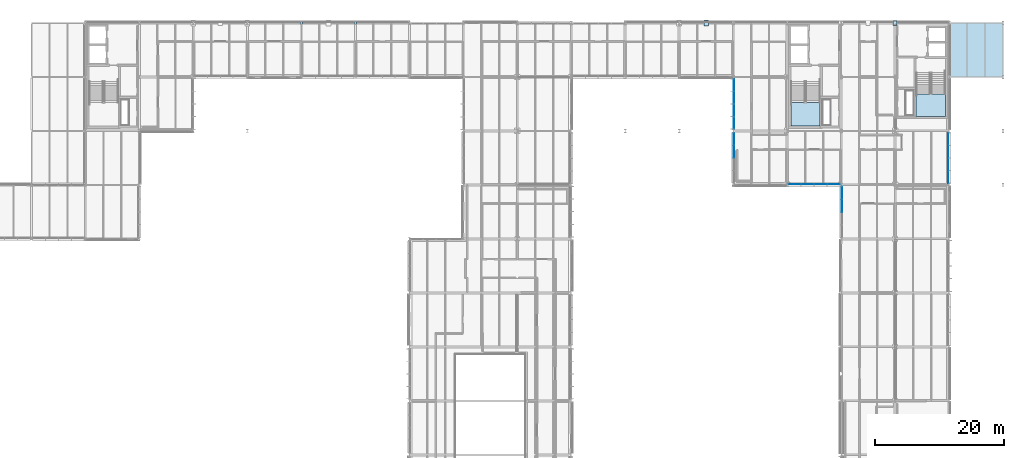
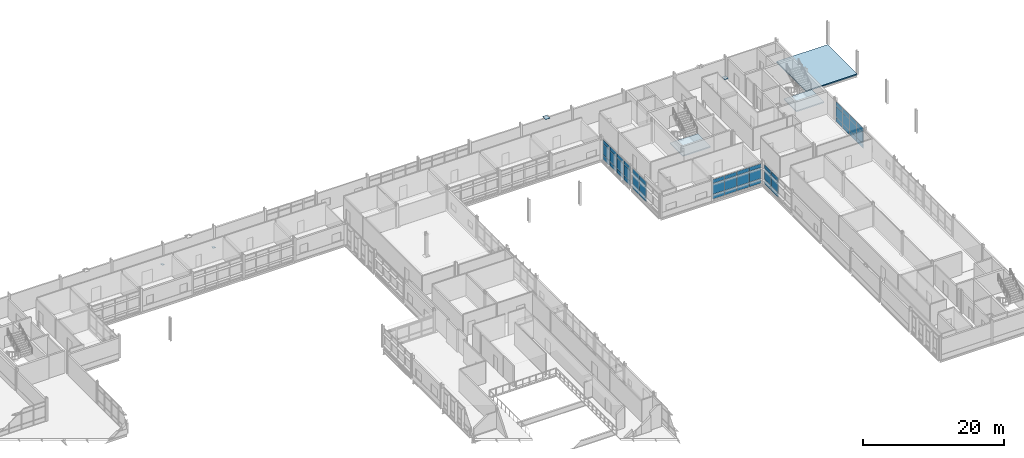
# One storey, part 103 of 131: 52 plates, 3 slabs, 7 elements without a shape of their own.
"""IFC4 building model written with IfcOpenShell, lengths in metres."""

from ifc_helpers import new_model, si_unit, direction, frame, origin, origin_2d, place, context, subcontext, project, spatial, polyline, rectangle, outline, extrude, material, layer, layer_set, type_object, element, aggregate, save


model = new_model("IFC4")

# Units and contexts
model_context = context("Model", 3, precision=1e-05, world=origin(), true_north=direction((0.0, 1.0)))
body_context = subcontext(model_context, "Body", "Model", "MODEL_VIEW")
ifc_project = project(units=[si_unit("LENGTHUNIT", "METRE"), si_unit("AREAUNIT", "SQUARE_METRE"), si_unit("VOLUMEUNIT", "CUBIC_METRE"), si_unit("PLANEANGLEUNIT", "RADIAN"), si_unit("MASSUNIT", "GRAM", prefix="KILO")], contexts=[model_context])

# Site, building, storey
site_placement = place(None, origin())
site = spatial("IfcSite", under=ifc_project, at=site_placement, CompositionType="ELEMENT")
building_placement = place(site_placement, origin())
building = spatial("IfcBuilding", under=site, at=building_placement, Name="Mersafa Astral City Hall", CompositionType="ELEMENT")
storey_placement = place(building_placement, frame((0.0, 0.0, 13.949951171875)))
storey = spatial("IfcBuildingStorey", under=building, at=storey_placement, Name="L03", CompositionType="ELEMENT", Elevation=13.949951171875)

# Curtain wall, plates
ifc_material_1 = material(Name="Anodised bronze aluminium framing", Category="aluminium")
curtain_wall_type_1 = type_object("IfcCurtainWallType", Name="ENV-CW-5", PredefinedType="USERDEFINED", material=ifc_material_1)
curtain_wall_1_placement = place(storey_placement, origin())
curtain_wall_1 = element("IfcCurtainWall", 1, at=curtain_wall_1_placement, inside=storey, type_object=curtain_wall_type_1, Name="L03 Unitised solar curtain wall 160", ObjectType="UNITISED CURTAIN WALL", PredefinedType="USERDEFINED")
ifc_material_2 = material(Name="Solar control low-e double glazing", Category="glass")
ifc_layer_1 = layer(ifc_material_2, 0.028076171875, Name="Solar control low-e double glazing")
ifc_layer_set_1 = layer_set([ifc_layer_1], Name="Solar control low-e double glazing — ENV-CW-PNL-GLZ-1")
plate_type_1 = type_object("IfcPlateType", Name="ENV-CW-PNL-GLZ-1", PredefinedType="CURTAIN_PANEL", material=ifc_layer_set_1)
plate_1_placement = place(storey_placement, frame((142.919921875, 116.33837890625, 0.05810546875), z_axis=(0.0, 0.0, 1.0), x_axis=(0.0, -1.0, 0.0)))
plate_1 = element("IfcPlate", 2, at=plate_1_placement, type_object=plate_type_1, Name="CW-5 panel 1.1", PredefinedType="CURTAIN_PANEL", context=body_context, shape_type="SweptSolid", body=[
    extrude(rectangle(XDim=1.87890625, YDim=0.028076171875, at=origin_2d()), origin(), (0.0, 0.0, 1.0), 0.761962890625),
])
plate_2_placement = place(storey_placement, frame((142.919921875, 116.33837890625, 0.8798828125), z_axis=(0.0, 0.0, 1.0), x_axis=(0.0, -1.0, 0.0)))
plate_2 = element("IfcPlate", 3, at=plate_2_placement, type_object=plate_type_1, Name="CW-5 panel 1.2", PredefinedType="CURTAIN_PANEL", context=body_context, shape_type="SweptSolid", body=[
    extrude(rectangle(XDim=1.87890625, YDim=0.028076171875, at=origin_2d()), origin(), (0.0, 0.0, 1.0), 1.840087890625),
])
plate_3_placement = place(storey_placement, frame((142.919921875, 116.33837890625, 2.780029296875), z_axis=(0.0, 0.0, 1.0), x_axis=(0.0, -1.0, 0.0)))
plate_3 = element("IfcPlate", 4, at=plate_3_placement, type_object=plate_type_1, Name="CW-5 panel 1.3", PredefinedType="CURTAIN_PANEL", context=body_context, shape_type="SweptSolid", body=[
    extrude(rectangle(XDim=1.87890625, YDim=0.028076171875, at=origin_2d()), origin(), (0.0, 0.0, 1.0), 0.662109375),
])
plate_4_placement = place(storey_placement, frame((142.919921875, 114.384521484375, 0.05810546875), z_axis=(0.0, 0.0, 1.0), x_axis=(0.0, -1.0, 0.0)))
plate_4 = element("IfcPlate", 5, at=plate_4_placement, type_object=plate_type_1, Name="CW-5 panel 2.1", PredefinedType="CURTAIN_PANEL", context=body_context, shape_type="SweptSolid", body=[
    extrude(rectangle(XDim=1.908935546875, YDim=0.028076171875, at=origin_2d()), origin(), (0.0, 0.0, 1.0), 0.761962890625),
])
plate_5_placement = place(storey_placement, frame((142.919921875, 114.384521484375, 0.8798828125), z_axis=(0.0, 0.0, 1.0), x_axis=(0.0, -1.0, 0.0)))
plate_5 = element("IfcPlate", 6, at=plate_5_placement, type_object=plate_type_1, Name="CW-5 panel 2.2", PredefinedType="CURTAIN_PANEL", context=body_context, shape_type="SweptSolid", body=[
    extrude(rectangle(XDim=1.908935546875, YDim=0.028076171875, at=origin_2d()), origin(), (0.0, 0.0, 1.0), 1.840087890625),
])
plate_6_placement = place(storey_placement, frame((142.919921875, 114.384521484375, 2.780029296875), z_axis=(0.0, 0.0, 1.0), x_axis=(0.0, -1.0, 0.0)))
plate_6 = element("IfcPlate", 7, at=plate_6_placement, type_object=plate_type_1, Name="CW-5 panel 2.3", PredefinedType="CURTAIN_PANEL", context=body_context, shape_type="SweptSolid", body=[
    extrude(rectangle(XDim=1.908935546875, YDim=0.028076171875, at=origin_2d()), origin(), (0.0, 0.0, 1.0), 0.662109375),
])
plate_7_placement = place(storey_placement, frame((142.919921875, 112.41552734375, 0.05810546875), z_axis=(0.0, 0.0, 1.0), x_axis=(0.0, -1.0, 0.0)))
plate_7 = element("IfcPlate", 8, at=plate_7_placement, type_object=plate_type_1, Name="CW-5 panel 3.1", PredefinedType="CURTAIN_PANEL", context=body_context, shape_type="SweptSolid", body=[
    extrude(rectangle(XDim=1.908935546875, YDim=0.028076171875, at=origin_2d()), origin(), (0.0, 0.0, 1.0), 0.761962890625),
])
plate_8_placement = place(storey_placement, frame((142.919921875, 112.41552734375, 0.8798828125), z_axis=(0.0, 0.0, 1.0), x_axis=(0.0, -1.0, 0.0)))
plate_8 = element("IfcPlate", 9, at=plate_8_placement, type_object=plate_type_1, Name="CW-5 panel 3.2", PredefinedType="CURTAIN_PANEL", context=body_context, shape_type="SweptSolid", body=[
    extrude(rectangle(XDim=1.908935546875, YDim=0.028076171875, at=origin_2d()), origin(), (0.0, 0.0, 1.0), 1.840087890625),
])
plate_9_placement = place(storey_placement, frame((142.919921875, 112.41552734375, 2.780029296875), z_axis=(0.0, 0.0, 1.0), x_axis=(0.0, -1.0, 0.0)))
plate_9 = element("IfcPlate", 10, at=plate_9_placement, type_object=plate_type_1, Name="CW-5 panel 3.3", PredefinedType="CURTAIN_PANEL", context=body_context, shape_type="SweptSolid", body=[
    extrude(rectangle(XDim=1.908935546875, YDim=0.028076171875, at=origin_2d()), origin(), (0.0, 0.0, 1.0), 0.662109375),
])
plate_10_placement = place(storey_placement, frame((142.919921875, 110.46142578125, 0.05810546875), z_axis=(0.0, 0.0, 1.0), x_axis=(0.0, -1.0, 0.0)))
plate_10 = element("IfcPlate", 11, at=plate_10_placement, type_object=plate_type_1, Name="CW-5 panel 4.1", PredefinedType="CURTAIN_PANEL", context=body_context, shape_type="SweptSolid", body=[
    extrude(rectangle(XDim=1.87890625, YDim=0.028076171875, at=origin_2d()), origin(), (0.0, 0.0, 1.0), 0.761962890625),
])
plate_11_placement = place(storey_placement, frame((142.919921875, 110.46142578125, 0.8798828125), z_axis=(0.0, 0.0, 1.0), x_axis=(0.0, -1.0, 0.0)))
plate_11 = element("IfcPlate", 12, at=plate_11_placement, type_object=plate_type_1, Name="CW-5 panel 4.2", PredefinedType="CURTAIN_PANEL", context=body_context, shape_type="SweptSolid", body=[
    extrude(rectangle(XDim=1.87890625, YDim=0.028076171875, at=origin_2d()), origin(), (0.0, 0.0, 1.0), 1.840087890625),
])
plate_12_placement = place(storey_placement, frame((142.919921875, 110.46142578125, 2.780029296875), z_axis=(0.0, 0.0, 1.0), x_axis=(0.0, -1.0, 0.0)))
plate_12 = element("IfcPlate", 13, at=plate_12_placement, type_object=plate_type_1, Name="CW-5 panel 4.3", PredefinedType="CURTAIN_PANEL", context=body_context, shape_type="SweptSolid", body=[
    extrude(rectangle(XDim=1.87890625, YDim=0.028076171875, at=origin_2d()), origin(), (0.0, 0.0, 1.0), 0.662109375),
])
aggregate(curtain_wall_1, [plate_1, plate_2, plate_3, plate_4, plate_5, plate_6, plate_7, plate_8, plate_9, plate_10, plate_11, plate_12])

curtain_wall_type_2 = type_object("IfcCurtainWallType", Name="ENV-CW-6", PredefinedType="USERDEFINED", material=ifc_material_1)
curtain_wall_2_placement = place(storey_placement, origin())
curtain_wall_2 = element("IfcCurtainWall", 14, at=curtain_wall_2_placement, inside=storey, type_object=curtain_wall_type_2, Name="L03 Unitised solar curtain wall 161", ObjectType="UNITISED CURTAIN WALL", PredefinedType="USERDEFINED")
ifc_layer_2 = layer(ifc_material_2, 0.031982421875, Name="Solar control low-e double glazing")
ifc_layer_set_2 = layer_set([ifc_layer_2], Name="Solar control low-e double glazing — ENV-CW-PNL-GLZ-2")
plate_type_2 = type_object("IfcPlateType", Name="ENV-CW-PNL-GLZ-2", PredefinedType="CURTAIN_PANEL", material=ifc_layer_set_2)
plate_13_placement = place(storey_placement, frame((142.919921875, 107.9384765625, 0.05810546875), z_axis=(0.0, 0.0, 1.0), x_axis=(0.0, -1.0, 0.0)))
plate_13 = element("IfcPlate", 15, at=plate_13_placement, type_object=plate_type_2, Name="CW-6 panel 1.1", PredefinedType="CURTAIN_PANEL", context=body_context, shape_type="SweptSolid", body=[
    extrude(rectangle(XDim=1.87890625, YDim=0.031982421875, at=origin_2d()), origin(), (0.0, 0.0, 1.0), 0.761962890625),
])
plate_14_placement = place(storey_placement, frame((142.919921875, 107.9384765625, 0.8798828125), z_axis=(0.0, 0.0, 1.0), x_axis=(0.0, -1.0, 0.0)))
plate_14 = element("IfcPlate", 16, at=plate_14_placement, type_object=plate_type_2, Name="CW-6 panel 1.2", PredefinedType="CURTAIN_PANEL", context=body_context, shape_type="SweptSolid", body=[
    extrude(rectangle(XDim=1.87890625, YDim=0.031982421875, at=origin_2d()), origin(), (0.0, 0.0, 1.0), 1.840087890625),
])
plate_15_placement = place(storey_placement, frame((142.919921875, 107.9384765625, 2.780029296875), z_axis=(0.0, 0.0, 1.0), x_axis=(0.0, -1.0, 0.0)))
plate_15 = element("IfcPlate", 17, at=plate_15_placement, type_object=plate_type_2, Name="CW-6 panel 1.3", PredefinedType="CURTAIN_PANEL", context=body_context, shape_type="SweptSolid", body=[
    extrude(rectangle(XDim=1.87890625, YDim=0.031982421875, at=origin_2d()), origin(), (0.0, 0.0, 1.0), 0.751953125),
])
plate_16_placement = place(storey_placement, frame((142.919921875, 105.984619140625, 0.05810546875), z_axis=(0.0, 0.0, 1.0), x_axis=(0.0, -1.0, 0.0)))
plate_16 = element("IfcPlate", 18, at=plate_16_placement, type_object=plate_type_2, Name="CW-6 panel 2.1", PredefinedType="CURTAIN_PANEL", context=body_context, shape_type="SweptSolid", body=[
    extrude(rectangle(XDim=1.908935546875, YDim=0.031982421875, at=origin_2d()), origin(), (0.0, 0.0, 1.0), 0.761962890625),
])
plate_17_placement = place(storey_placement, frame((142.919921875, 105.984619140625, 0.8798828125), z_axis=(0.0, 0.0, 1.0), x_axis=(0.0, -1.0, 0.0)))
plate_17 = element("IfcPlate", 19, at=plate_17_placement, type_object=plate_type_2, Name="CW-6 panel 2.2", PredefinedType="CURTAIN_PANEL", context=body_context, shape_type="SweptSolid", body=[
    extrude(rectangle(XDim=1.908935546875, YDim=0.031982421875, at=origin_2d()), origin(), (0.0, 0.0, 1.0), 1.840087890625),
])
plate_18_placement = place(storey_placement, frame((142.919921875, 105.984619140625, 2.780029296875), z_axis=(0.0, 0.0, 1.0), x_axis=(0.0, -1.0, 0.0)))
plate_18 = element("IfcPlate", 20, at=plate_18_placement, type_object=plate_type_2, Name="CW-6 panel 2.3", PredefinedType="CURTAIN_PANEL", context=body_context, shape_type="SweptSolid", body=[
    extrude(rectangle(XDim=1.908935546875, YDim=0.031982421875, at=origin_2d()), origin(), (0.0, 0.0, 1.0), 0.751953125),
])
aggregate(curtain_wall_2, [plate_13, plate_14, plate_15, plate_16, plate_17, plate_18])

curtain_wall_type_3 = type_object("IfcCurtainWallType", Name="ENV-CW-1", PredefinedType="USERDEFINED", material=ifc_material_1)
curtain_wall_3_placement = place(storey_placement, origin())
curtain_wall_3 = element("IfcCurtainWall", 21, at=curtain_wall_3_placement, inside=storey, type_object=curtain_wall_type_3, Name="L03 Unitised solar curtain wall 162", ObjectType="UNITISED CURTAIN WALL", PredefinedType="USERDEFINED")
ifc_layer_3 = layer(ifc_material_2, 0.035888671875, Name="Solar control low-e double glazing")
ifc_layer_set_3 = layer_set([ifc_layer_3], Name="Solar control low-e double glazing — ENV-CW-PNL-GLZ-3")
plate_type_3 = type_object("IfcPlateType", Name="ENV-CW-PNL-GLZ-3", PredefinedType="CURTAIN_PANEL", material=ifc_layer_set_3)
plate_19_placement = place(storey_placement, frame((152.386474609375, 100.919921875, 0.05810546875), z_axis=(0.0, 0.0, 1.0), x_axis=(1.0, 0.0, 0.0)))
plate_19 = element("IfcPlate", 22, at=plate_19_placement, type_object=plate_type_3, Name="CW-1 panel 1.1", PredefinedType="CURTAIN_PANEL", context=body_context, shape_type="SweptSolid", body=[
    extrude(rectangle(XDim=1.928955078125, YDim=0.035888671875, at=origin_2d()), origin(), (0.0, 0.0, 1.0), 0.761962890625),
])
plate_20_placement = place(storey_placement, frame((152.386474609375, 100.919921875, 0.8798828125), z_axis=(0.0, 0.0, 1.0), x_axis=(1.0, 0.0, 0.0)))
plate_20 = element("IfcPlate", 23, at=plate_20_placement, type_object=plate_type_3, Name="CW-1 panel 1.2", PredefinedType="CURTAIN_PANEL", context=body_context, shape_type="SweptSolid", body=[
    extrude(rectangle(XDim=1.928955078125, YDim=0.035888671875, at=origin_2d()), origin(), (0.0, 0.0, 1.0), 1.840087890625),
])
plate_21_placement = place(storey_placement, frame((152.386474609375, 100.919921875, 2.780029296875), z_axis=(0.0, 0.0, 1.0), x_axis=(1.0, 0.0, 0.0)))
plate_21 = element("IfcPlate", 24, at=plate_21_placement, type_object=plate_type_3, Name="CW-1 panel 1.3", PredefinedType="CURTAIN_PANEL", context=body_context, shape_type="SweptSolid", body=[
    extrude(rectangle(XDim=1.928955078125, YDim=0.035888671875, at=origin_2d()), origin(), (0.0, 0.0, 1.0), 0.662109375),
])
plate_22_placement = place(storey_placement, frame((154.390380859375, 100.919921875, 0.05810546875), z_axis=(0.0, 0.0, 1.0), x_axis=(1.0, 0.0, 0.0)))
plate_22 = element("IfcPlate", 25, at=plate_22_placement, type_object=plate_type_3, Name="CW-1 panel 2.1", PredefinedType="CURTAIN_PANEL", context=body_context, shape_type="SweptSolid", body=[
    extrude(rectangle(XDim=1.958984375, YDim=0.035888671875, at=origin_2d()), origin(), (0.0, 0.0, 1.0), 0.761962890625),
])
plate_23_placement = place(storey_placement, frame((154.390380859375, 100.919921875, 0.8798828125), z_axis=(0.0, 0.0, 1.0), x_axis=(1.0, 0.0, 0.0)))
plate_23 = element("IfcPlate", 26, at=plate_23_placement, type_object=plate_type_3, Name="CW-1 panel 2.2", PredefinedType="CURTAIN_PANEL", context=body_context, shape_type="SweptSolid", body=[
    extrude(rectangle(XDim=1.958984375, YDim=0.035888671875, at=origin_2d()), origin(), (0.0, 0.0, 1.0), 1.840087890625),
])
plate_24_placement = place(storey_placement, frame((154.390380859375, 100.919921875, 2.780029296875), z_axis=(0.0, 0.0, 1.0), x_axis=(1.0, 0.0, 0.0)))
plate_24 = element("IfcPlate", 27, at=plate_24_placement, type_object=plate_type_3, Name="CW-1 panel 2.3", PredefinedType="CURTAIN_PANEL", context=body_context, shape_type="SweptSolid", body=[
    extrude(rectangle(XDim=1.958984375, YDim=0.035888671875, at=origin_2d()), origin(), (0.0, 0.0, 1.0), 0.662109375),
])
plate_25_placement = place(storey_placement, frame((156.409423828125, 100.919921875, 0.05810546875), z_axis=(0.0, 0.0, 1.0), x_axis=(1.0, 0.0, 0.0)))
plate_25 = element("IfcPlate", 28, at=plate_25_placement, type_object=plate_type_3, Name="CW-1 panel 3.1", PredefinedType="CURTAIN_PANEL", context=body_context, shape_type="SweptSolid", body=[
    extrude(rectangle(XDim=1.958984375, YDim=0.035888671875, at=origin_2d()), origin(), (0.0, 0.0, 1.0), 0.761962890625),
])
plate_26_placement = place(storey_placement, frame((156.409423828125, 100.919921875, 0.8798828125), z_axis=(0.0, 0.0, 1.0), x_axis=(1.0, 0.0, 0.0)))
plate_26 = element("IfcPlate", 29, at=plate_26_placement, type_object=plate_type_3, Name="CW-1 panel 3.2", PredefinedType="CURTAIN_PANEL", context=body_context, shape_type="SweptSolid", body=[
    extrude(rectangle(XDim=1.958984375, YDim=0.035888671875, at=origin_2d()), origin(), (0.0, 0.0, 1.0), 1.840087890625),
])
plate_27_placement = place(storey_placement, frame((156.409423828125, 100.919921875, 2.780029296875), z_axis=(0.0, 0.0, 1.0), x_axis=(1.0, 0.0, 0.0)))
plate_27 = element("IfcPlate", 30, at=plate_27_placement, type_object=plate_type_3, Name="CW-1 panel 3.3", PredefinedType="CURTAIN_PANEL", context=body_context, shape_type="SweptSolid", body=[
    extrude(rectangle(XDim=1.958984375, YDim=0.035888671875, at=origin_2d()), origin(), (0.0, 0.0, 1.0), 0.662109375),
])
plate_28_placement = place(storey_placement, frame((158.41357421875, 100.919921875, 0.05810546875), z_axis=(0.0, 0.0, 1.0), x_axis=(1.0, 0.0, 0.0)))
plate_28 = element("IfcPlate", 31, at=plate_28_placement, type_object=plate_type_3, Name="CW-1 panel 4.1", PredefinedType="CURTAIN_PANEL", context=body_context, shape_type="SweptSolid", body=[
    extrude(rectangle(XDim=1.928955078125, YDim=0.035888671875, at=origin_2d()), origin(), (0.0, 0.0, 1.0), 0.761962890625),
])
plate_29_placement = place(storey_placement, frame((158.41357421875, 100.919921875, 0.8798828125), z_axis=(0.0, 0.0, 1.0), x_axis=(1.0, 0.0, 0.0)))
plate_29 = element("IfcPlate", 32, at=plate_29_placement, type_object=plate_type_3, Name="CW-1 panel 4.2", PredefinedType="CURTAIN_PANEL", context=body_context, shape_type="SweptSolid", body=[
    extrude(rectangle(XDim=1.928955078125, YDim=0.035888671875, at=origin_2d()), origin(), (0.0, 0.0, 1.0), 1.840087890625),
])
plate_30_placement = place(storey_placement, frame((158.41357421875, 100.919921875, 2.780029296875), z_axis=(0.0, 0.0, 1.0), x_axis=(1.0, 0.0, 0.0)))
plate_30 = element("IfcPlate", 33, at=plate_30_placement, type_object=plate_type_3, Name="CW-1 panel 4.3", PredefinedType="CURTAIN_PANEL", context=body_context, shape_type="SweptSolid", body=[
    extrude(rectangle(XDim=1.928955078125, YDim=0.035888671875, at=origin_2d()), origin(), (0.0, 0.0, 1.0), 0.662109375),
])
aggregate(curtain_wall_3, [plate_19, plate_20, plate_21, plate_22, plate_23, plate_24, plate_25, plate_26, plate_27, plate_28, plate_29, plate_30])

curtain_wall_type_4 = type_object("IfcCurtainWallType", Name="ENV-CW-2", PredefinedType="USERDEFINED", material=ifc_material_1)
curtain_wall_4_placement = place(storey_placement, origin())
curtain_wall_4 = element("IfcCurtainWall", 34, at=curtain_wall_4_placement, inside=storey, type_object=curtain_wall_type_4, Name="L03 Unitised solar curtain wall 163", ObjectType="UNITISED CURTAIN WALL", PredefinedType="USERDEFINED")
ifc_layer_4 = layer(ifc_material_2, 0.0400390625, Name="Solar control low-e double glazing")
ifc_layer_set_4 = layer_set([ifc_layer_4], Name="Solar control low-e double glazing — ENV-CW-PNL-GLZ-4")
plate_type_4 = type_object("IfcPlateType", Name="ENV-CW-PNL-GLZ-4", PredefinedType="CURTAIN_PANEL", material=ifc_layer_set_4)
plate_31_placement = place(storey_placement, frame((159.719970703125, 99.52587890625, 0.05810546875), z_axis=(0.0, 0.0, 1.0), x_axis=(0.0, -1.0, 0.0)))
plate_31 = element("IfcPlate", 35, at=plate_31_placement, type_object=plate_type_4, Name="CW-2 panel 1.1", PredefinedType="CURTAIN_PANEL", context=body_context, shape_type="SweptSolid", body=[
    extrude(rectangle(XDim=1.904052734375, YDim=0.0400390625, at=origin_2d()), origin(), (0.0, 0.0, 1.0), 0.761962890625),
])
plate_32_placement = place(storey_placement, frame((159.719970703125, 99.52587890625, 0.8798828125), z_axis=(0.0, 0.0, 1.0), x_axis=(0.0, -1.0, 0.0)))
plate_32 = element("IfcPlate", 36, at=plate_32_placement, type_object=plate_type_4, Name="CW-2 panel 1.2", PredefinedType="CURTAIN_PANEL", context=body_context, shape_type="SweptSolid", body=[
    extrude(rectangle(XDim=1.904052734375, YDim=0.0400390625, at=origin_2d()), origin(), (0.0, 0.0, 1.0), 1.840087890625),
])
plate_33_placement = place(storey_placement, frame((159.719970703125, 99.52587890625, 2.780029296875), z_axis=(0.0, 0.0, 1.0), x_axis=(0.0, -1.0, 0.0)))
plate_33 = element("IfcPlate", 37, at=plate_33_placement, type_object=plate_type_4, Name="CW-2 panel 1.3", PredefinedType="CURTAIN_PANEL", context=body_context, shape_type="SweptSolid", body=[
    extrude(rectangle(XDim=1.904052734375, YDim=0.0400390625, at=origin_2d()), origin(), (0.0, 0.0, 1.0), 0.64697265625),
])
plate_34_placement = place(storey_placement, frame((159.719970703125, 97.547119140625, 0.05810546875), z_axis=(0.0, 0.0, 1.0), x_axis=(0.0, -1.0, 0.0)))
plate_34 = element("IfcPlate", 38, at=plate_34_placement, type_object=plate_type_4, Name="CW-2 panel 2.1", PredefinedType="CURTAIN_PANEL", context=body_context, shape_type="SweptSolid", body=[
    extrude(rectangle(XDim=1.93408203125, YDim=0.0400390625, at=origin_2d()), origin(), (0.0, 0.0, 1.0), 0.761962890625),
])
plate_35_placement = place(storey_placement, frame((159.719970703125, 97.547119140625, 0.8798828125), z_axis=(0.0, 0.0, 1.0), x_axis=(0.0, -1.0, 0.0)))
plate_35 = element("IfcPlate", 39, at=plate_35_placement, type_object=plate_type_4, Name="CW-2 panel 2.2", PredefinedType="CURTAIN_PANEL", context=body_context, shape_type="SweptSolid", body=[
    extrude(rectangle(XDim=1.93408203125, YDim=0.0400390625, at=origin_2d()), origin(), (0.0, 0.0, 1.0), 1.840087890625),
])
plate_36_placement = place(storey_placement, frame((159.719970703125, 97.547119140625, 2.780029296875), z_axis=(0.0, 0.0, 1.0), x_axis=(0.0, -1.0, 0.0)))
plate_36 = element("IfcPlate", 40, at=plate_36_placement, type_object=plate_type_4, Name="CW-2 panel 2.3", PredefinedType="CURTAIN_PANEL", context=body_context, shape_type="SweptSolid", body=[
    extrude(rectangle(XDim=1.93408203125, YDim=0.0400390625, at=origin_2d()), origin(), (0.0, 0.0, 1.0), 0.64697265625),
])
aggregate(curtain_wall_4, [plate_31, plate_32, plate_33, plate_34, plate_35, plate_36])

curtain_wall_5_placement = place(storey_placement, origin())
curtain_wall_5 = element("IfcCurtainWall", 41, at=curtain_wall_5_placement, inside=storey, type_object=curtain_wall_type_2, Name="L03 Unitised solar curtain wall 167", ObjectType="UNITISED CURTAIN WALL", PredefinedType="USERDEFINED")
plate_37_placement = place(storey_placement, frame((176.280029296875, 102.03955078125, 0.05810546875), z_axis=(0.0, 0.0, 1.0), x_axis=(0.0, 1.0, 0.0)))
plate_37 = element("IfcPlate", 42, at=plate_37_placement, type_object=plate_type_4, Name="CW-6 panel 1.1", PredefinedType="CURTAIN_PANEL", context=body_context, shape_type="SweptSolid", body=[
    extrude(rectangle(XDim=1.88525390625, YDim=0.0400390625, at=origin_2d()), origin(), (0.0, 0.0, 1.0), 0.761962890625),
])
plate_38_placement = place(storey_placement, frame((176.280029296875, 102.03955078125, 0.8798828125), z_axis=(0.0, 0.0, 1.0), x_axis=(0.0, 1.0, 0.0)))
plate_38 = element("IfcPlate", 43, at=plate_38_placement, type_object=plate_type_4, Name="CW-6 panel 1.2", PredefinedType="CURTAIN_PANEL", context=body_context, shape_type="SweptSolid", body=[
    extrude(rectangle(XDim=1.88525390625, YDim=0.0400390625, at=origin_2d()), origin(), (0.0, 0.0, 1.0), 1.840087890625),
])
plate_39_placement = place(storey_placement, frame((176.280029296875, 102.03955078125, 2.780029296875), z_axis=(0.0, 0.0, 1.0), x_axis=(0.0, 1.0, 0.0)))
plate_39 = element("IfcPlate", 44, at=plate_39_placement, type_object=plate_type_4, Name="CW-6 panel 1.3", PredefinedType="CURTAIN_PANEL", context=body_context, shape_type="SweptSolid", body=[
    extrude(rectangle(XDim=1.88525390625, YDim=0.0400390625, at=origin_2d()), origin(), (0.0, 0.0, 1.0), 0.751953125),
])
plate_40_placement = place(storey_placement, frame((176.280029296875, 103.999755859375, 0.05810546875), z_axis=(0.0, 0.0, 1.0), x_axis=(0.0, 1.0, 0.0)))
plate_40 = element("IfcPlate", 45, at=plate_40_placement, type_object=plate_type_4, Name="CW-6 panel 2.1", PredefinedType="CURTAIN_PANEL", context=body_context, shape_type="SweptSolid", body=[
    extrude(rectangle(XDim=1.915283203125, YDim=0.0400390625, at=origin_2d()), origin(), (0.0, 0.0, 1.0), 0.761962890625),
])
plate_41_placement = place(storey_placement, frame((176.280029296875, 103.999755859375, 0.8798828125), z_axis=(0.0, 0.0, 1.0), x_axis=(0.0, 1.0, 0.0)))
plate_41 = element("IfcPlate", 46, at=plate_41_placement, type_object=plate_type_4, Name="CW-6 panel 2.2", PredefinedType="CURTAIN_PANEL", context=body_context, shape_type="SweptSolid", body=[
    extrude(rectangle(XDim=1.915283203125, YDim=0.0400390625, at=origin_2d()), origin(), (0.0, 0.0, 1.0), 1.840087890625),
])
plate_42_placement = place(storey_placement, frame((176.280029296875, 103.999755859375, 2.780029296875), z_axis=(0.0, 0.0, 1.0), x_axis=(0.0, 1.0, 0.0)))
plate_42 = element("IfcPlate", 47, at=plate_42_placement, type_object=plate_type_4, Name="CW-6 panel 2.3", PredefinedType="CURTAIN_PANEL", context=body_context, shape_type="SweptSolid", body=[
    extrude(rectangle(XDim=1.915283203125, YDim=0.0400390625, at=origin_2d()), origin(), (0.0, 0.0, 1.0), 0.751953125),
])
plate_43_placement = place(storey_placement, frame((176.280029296875, 105.97509765625, 0.05810546875), z_axis=(0.0, 0.0, 1.0), x_axis=(0.0, 1.0, 0.0)))
plate_43 = element("IfcPlate", 48, at=plate_43_placement, type_object=plate_type_4, Name="CW-6 panel 3.1", PredefinedType="CURTAIN_PANEL", context=body_context, shape_type="SweptSolid", body=[
    extrude(rectangle(XDim=1.915283203125, YDim=0.0400390625, at=origin_2d()), origin(), (0.0, 0.0, 1.0), 0.761962890625),
])
plate_44_placement = place(storey_placement, frame((176.280029296875, 105.97509765625, 0.8798828125), z_axis=(0.0, 0.0, 1.0), x_axis=(0.0, 1.0, 0.0)))
plate_44 = element("IfcPlate", 49, at=plate_44_placement, type_object=plate_type_4, Name="CW-6 panel 3.2", PredefinedType="CURTAIN_PANEL", context=body_context, shape_type="SweptSolid", body=[
    extrude(rectangle(XDim=1.915283203125, YDim=0.0400390625, at=origin_2d()), origin(), (0.0, 0.0, 1.0), 1.840087890625),
])
plate_45_placement = place(storey_placement, frame((176.280029296875, 105.97509765625, 2.780029296875), z_axis=(0.0, 0.0, 1.0), x_axis=(0.0, 1.0, 0.0)))
plate_45 = element("IfcPlate", 50, at=plate_45_placement, type_object=plate_type_4, Name="CW-6 panel 3.3", PredefinedType="CURTAIN_PANEL", context=body_context, shape_type="SweptSolid", body=[
    extrude(rectangle(XDim=1.915283203125, YDim=0.0400390625, at=origin_2d()), origin(), (0.0, 0.0, 1.0), 0.751953125),
])
plate_46_placement = place(storey_placement, frame((176.280029296875, 107.935302734375, 0.05810546875), z_axis=(0.0, 0.0, 1.0), x_axis=(0.0, 1.0, 0.0)))
plate_46 = element("IfcPlate", 51, at=plate_46_placement, type_object=plate_type_4, Name="CW-6 panel 4.1", PredefinedType="CURTAIN_PANEL", context=body_context, shape_type="SweptSolid", body=[
    extrude(rectangle(XDim=1.88525390625, YDim=0.0400390625, at=origin_2d()), origin(), (0.0, 0.0, 1.0), 0.761962890625),
])
plate_47_placement = place(storey_placement, frame((176.280029296875, 107.935302734375, 0.8798828125), z_axis=(0.0, 0.0, 1.0), x_axis=(0.0, 1.0, 0.0)))
plate_47 = element("IfcPlate", 52, at=plate_47_placement, type_object=plate_type_4, Name="CW-6 panel 4.2", PredefinedType="CURTAIN_PANEL", context=body_context, shape_type="SweptSolid", body=[
    extrude(rectangle(XDim=1.88525390625, YDim=0.0400390625, at=origin_2d()), origin(), (0.0, 0.0, 1.0), 1.840087890625),
])
plate_48_placement = place(storey_placement, frame((176.280029296875, 107.935302734375, 2.780029296875), z_axis=(0.0, 0.0, 1.0), x_axis=(0.0, 1.0, 0.0)))
plate_48 = element("IfcPlate", 53, at=plate_48_placement, type_object=plate_type_4, Name="CW-6 panel 4.3", PredefinedType="CURTAIN_PANEL", context=body_context, shape_type="SweptSolid", body=[
    extrude(rectangle(XDim=1.88525390625, YDim=0.0400390625, at=origin_2d()), origin(), (0.0, 0.0, 1.0), 0.751953125),
])
aggregate(curtain_wall_5, [plate_37, plate_38, plate_39, plate_40, plate_41, plate_42, plate_43, plate_44, plate_45, plate_46, plate_47, plate_48])

# Stair, slab
ifc_material_3 = material(Name="Concrete C40/50", Category="concrete")
stair_type = type_object("IfcStairType", Name="STAIR", PredefinedType="HALF_TURN_STAIR", material=ifc_material_3)
stair_1_placement = place(storey_placement, origin())
stair_1 = element("IfcStair", 54, at=stair_1_placement, inside=storey, type_object=stair_type, Name="L03 Protected Exit Stair ST1", PredefinedType="HALF_TURN_STAIR")
ifc_layer_5 = layer(ifc_material_3, 0.199951171875, Name="Concrete C40/50")
ifc_layer_set_5 = layer_set([ifc_layer_5], Name="Concrete C40/50 — STAIR-LANDING")
slab_type_1 = type_object("IfcSlabType", Name="STAIR-LANDING", PredefinedType="LANDING", material=ifc_layer_set_5)
slab_1_placement = place(storey_placement, frame((0.0, 0.0, 1.824951171875)))
slab_1 = element("IfcSlab", 55, at=slab_1_placement, type_object=slab_type_1, Name="ST1 landing 1", PredefinedType="LANDING", context=body_context, shape_type="SweptSolid", body=[
    extrude(outline(polyline([(151.780029296875, 113.60009765625), (151.780029296875, 109.949951171875), (156.340087890625, 109.949951171875), (156.340087890625, 113.60009765625), (151.780029296875, 113.60009765625)])), origin(), (0.0, 0.0, 1.0), 0.2001953125),
])
aggregate(stair_1, [slab_1])

stair_2_placement = place(storey_placement, origin())
stair_2 = element("IfcStair", 56, at=stair_2_placement, inside=storey, type_object=stair_type, Name="L03 Protected Exit Stair ST2", PredefinedType="HALF_TURN_STAIR")
slab_2_placement = place(storey_placement, frame((0.0, 0.0, 1.824951171875)))
slab_2 = element("IfcSlab", 57, at=slab_2_placement, type_object=slab_type_1, Name="ST2 landing 1", PredefinedType="LANDING", context=body_context, shape_type="SweptSolid", body=[
    extrude(outline(polyline([(171.260009765625, 114.9599609375), (171.260009765625, 111.449951171875), (175.820068359375, 111.449951171875), (175.820068359375, 114.9599609375), (171.260009765625, 114.9599609375)])), origin(), (0.0, 0.0, 1.0), 0.2001953125),
])
aggregate(stair_2, [slab_2])

# Plates
ifc_material_4 = material(Name="Steel S355", Category="steel")
ifc_layer_6 = layer(ifc_material_4, 0.031005859375, Name="Steel S355")
ifc_layer_set_6 = layer_set([ifc_layer_6], Name="Steel S355 — STR-PLT-NP-18")
plate_type_5 = type_object("IfcPlateType", Name="STR-PLT-NP-18", PredefinedType="SHEET", material=ifc_layer_set_6)
plate_49_placement = place(storey_placement, frame((75.597900390625, 126.0, 0.1044921875), z_axis=(0.0, 0.0, 1.0), x_axis=(1.0, 0.0, 0.0)))
element("IfcPlate", 58, at=plate_49_placement, inside=storey, type_object=plate_type_5, Name="L03 Structural steel brace gusset plate NP-18", PredefinedType="SHEET", context=body_context, shape_type="SweptSolid", body=[
    extrude(rectangle(XDim=0.360107421875, YDim=0.449951171875, at=origin_2d()), origin(), (0.0, 0.0, 1.0), 0.031005859375),
])
ifc_layer_7 = layer(ifc_material_4, 0.031982421875, Name="Steel S355")
ifc_layer_set_7 = layer_set([ifc_layer_7], Name="Steel S355 — STR-PLT-NP-19")
plate_type_6 = type_object("IfcPlateType", Name="STR-PLT-NP-19", PredefinedType="SHEET", material=ifc_layer_set_7)
plate_50_placement = place(storey_placement, frame((84.001953125, 126.0, 0.10400390625), z_axis=(0.0, 0.0, 1.0), x_axis=(1.0, 0.0, 0.0)))
element("IfcPlate", 59, at=plate_50_placement, inside=storey, type_object=plate_type_6, Name="L03 Structural steel brace gusset plate NP-19", PredefinedType="SHEET", context=body_context, shape_type="SweptSolid", body=[
    extrude(rectangle(XDim=0.385009765625, YDim=0.47998046875, at=origin_2d()), origin(), (0.0, 0.0, 1.0), 0.031982421875),
])
ifc_layer_8 = layer(ifc_material_4, 0.02197265625, Name="Steel S355")
ifc_layer_set_8 = layer_set([ifc_layer_8], Name="Steel S355 — STR-PLT-NP-29")
plate_type_7 = type_object("IfcPlateType", Name="STR-PLT-NP-29", PredefinedType="SHEET", material=ifc_layer_set_8)
plate_51_placement = place(storey_placement, frame((168.001953125, 126.0, 0.109130859375), z_axis=(0.0, 0.0, 1.0), x_axis=(1.0, 0.0, 0.0)))
element("IfcPlate", 60, at=plate_51_placement, inside=storey, type_object=plate_type_7, Name="L03 Structural steel brace gusset plate NP-29", PredefinedType="SHEET", context=body_context, shape_type="SweptSolid", body=[
    extrude(rectangle(XDim=0.635009765625, YDim=0.780029296875, at=origin_2d()), origin(), (0.0, 0.0, 1.0), 0.02197265625),
])
ifc_layer_9 = layer(ifc_material_4, 0.02587890625, Name="Steel S355")
ifc_layer_set_9 = layer_set([ifc_layer_9], Name="Steel S355 — STR-PLT-NP-33")
plate_type_8 = type_object("IfcPlateType", Name="STR-PLT-NP-33", PredefinedType="SHEET", material=ifc_layer_set_9)
plate_52_placement = place(storey_placement, frame((138.60009765625, 126.0, 3.5322265625), z_axis=(0.0, 0.0, 1.0), x_axis=(1.0, 0.0, 0.0)))
element("IfcPlate", 61, at=plate_52_placement, inside=storey, type_object=plate_type_8, Name="L03 Structural steel brace gusset plate NP-33", PredefinedType="SHEET", context=body_context, shape_type="SweptSolid", body=[
    extrude(rectangle(XDim=0.735107421875, YDim=0.89990234375, at=origin_2d()), origin(), (0.0, 0.0, 1.0), 0.02587890625),
])

# Slab
ifc_layer_10 = layer(ifc_material_3, 0.199951171875, Name="Concrete C40/50")
ifc_layer_set_10 = layer_set([ifc_layer_10], Name="Concrete C40/50 — STR-SLAB-ROOF-200")
slab_type_2 = type_object("IfcSlabType", Name="STR-SLAB-ROOF-200", PredefinedType="ROOF", material=ifc_layer_set_10)
slab_3_placement = place(storey_placement, frame((0.0, 0.0, -0.199951171875)))
element("IfcSlab", 62, at=slab_3_placement, inside=storey, type_object=slab_type_2, Name="L03 Flat structural wing roof slab 4", PredefinedType="ROOF", context=body_context, shape_type="SweptSolid", body=[
    extrude(outline(polyline([(184.800048828125, 126.0), (184.800048828125, 117.60009765625), (176.407958984375, 117.60009765625), (176.407958984375, 126.0), (184.800048828125, 126.0)])), origin(), (0.0, 0.0, 1.0), 0.199951171875),
])

save(model, "model.ifc")
